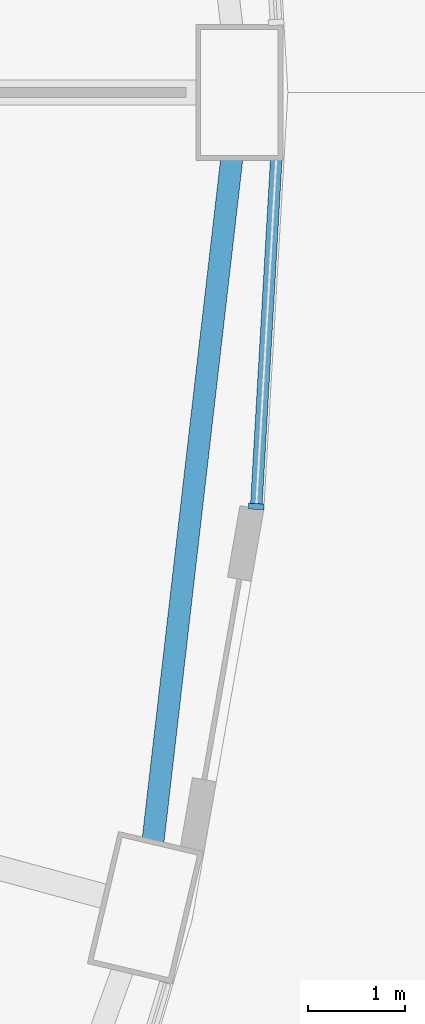
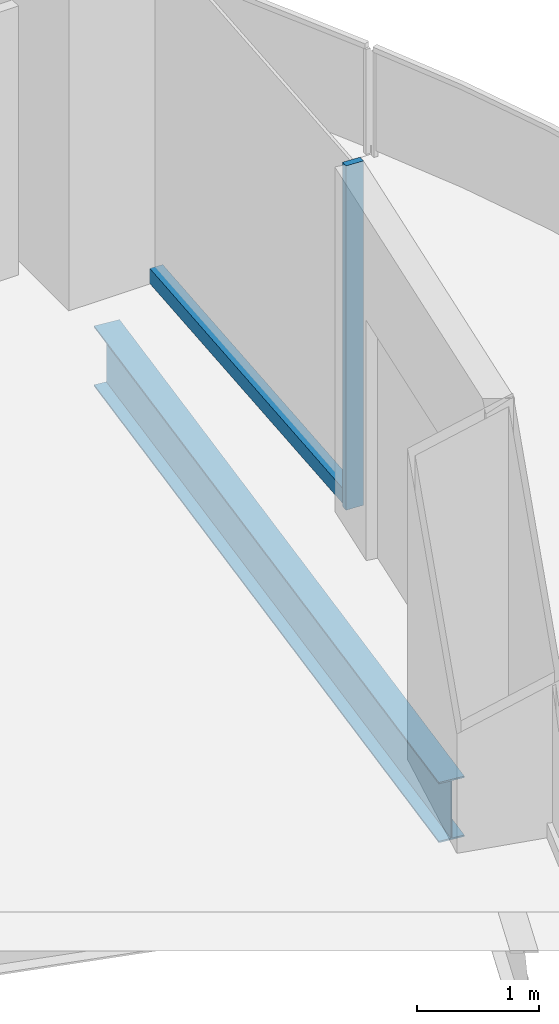
# One storey, part 6 of 22: 2 members, 1 beam, 1 element without a shape of its own.
"""IFC4 building model written with IfcOpenShell, lengths in metres."""

from ifc_helpers import new_model, si_unit, direction, frame, origin, origin_2d, place, context, subcontext, project, spatial, rectangle, i_section, extrude, material, layer, layer_set, material_profile, profile_set, type_object, element, aggregate, save


model = new_model("IFC4")

# Units and contexts
model_context = context("Model", 3, precision=1e-05, world=origin(), true_north=direction((0.0, 1.0)))
body_context = subcontext(model_context, "Body", "Model", "MODEL_VIEW")
ifc_project = project(units=[si_unit("LENGTHUNIT", "METRE"), si_unit("AREAUNIT", "SQUARE_METRE"), si_unit("VOLUMEUNIT", "CUBIC_METRE"), si_unit("PLANEANGLEUNIT", "RADIAN"), si_unit("MASSUNIT", "GRAM", prefix="KILO")], contexts=[model_context])

# Site, building, storey
site_placement = place(None, origin())
site = spatial("IfcSite", under=ifc_project, at=site_placement, CompositionType="ELEMENT")
building_placement = place(site_placement, origin())
building = spatial("IfcBuilding", under=site, at=building_placement, Name="Nagisa Residences", CompositionType="ELEMENT")
storey_placement = place(building_placement, frame((0.0, 0.0, 38.10009765625)))
storey = spatial("IfcBuildingStorey", under=building, at=storey_placement, Name="L08", CompositionType="ELEMENT", Elevation=38.10009765625)

# Curtain wall, members
ifc_material_1 = material(Name="Concrete-coloured aluminium curtain wall system", Category="concrete")
ifc_layer = layer(ifc_material_1, 0.159912109375)
ifc_layer_set = layer_set([ifc_layer], Name="CW1 CURTAIN WALL")
curtain_wall_type = type_object("IfcCurtainWallType", Name="CW1 CURTAIN WALL", PredefinedType="NOTDEFINED", material=ifc_layer_set)
curtain_wall_placement = place(storey_placement, origin())
curtain_wall = element("IfcCurtainWall", 1, at=curtain_wall_placement, inside=storey, type_object=curtain_wall_type, Name="cw:CW1:L08:47", PredefinedType="NOTDEFINED")
ifc_material_2 = material(Name="Concrete-coloured aluminium", Category="concrete")
ifc_material_profile_1 = material_profile(ifc_material_2, rectangle(XDim=0.159912109375, YDim=0.06005859375, at=origin_2d()), Name="CW1 MULLION 160x60")
ifc_profile_set_1 = profile_set([ifc_material_profile_1], Name="Concrete-coloured aluminium")
member_type_1 = type_object("IfcMemberType", Name="CW1 MULLION 160x60", PredefinedType="MULLION", material=ifc_profile_set_1)
member_1_placement = place(storey_placement, frame((32.273681640625, -4.272705078125, 0.0), z_axis=(0.0, 0.0, 1.0), x_axis=(-0.998345305184, 0.057503492216, 0.0)))
member_1 = element("IfcMember", 2, at=member_1_placement, type_object=member_type_1, Name="CW1 mullion", PredefinedType="MULLION", context=body_context, shape_type="SweptSolid", body=[
    extrude(rectangle(XDim=0.159912109375, YDim=0.06005859375, at=origin_2d()), origin(), (0.0, 0.0, 1.0), 3.43994140625),
])
ifc_material_3 = material(Name="Concrete-coloured aluminium", Category="concrete")
ifc_material_profile_2 = material_profile(ifc_material_3, rectangle(XDim=0.1201171875, YDim=0.14990234375, at=origin_2d()), Name="CW1 TRANSOM 120x150")
ifc_profile_set_2 = profile_set([ifc_material_profile_2], Name="Concrete-coloured aluminium")
member_type_2 = type_object("IfcMemberType", Name="CW1 TRANSOM 120x150", PredefinedType="USERDEFINED", material=ifc_profile_set_2)
member_2_placement = place(storey_placement, frame((32.27197265625, -4.302734375, 0.074951171875), z_axis=(0.057549926952, 0.998342629515, 0.0), x_axis=(-0.998342629515, 0.057549926952, 0.0)))
member_2 = element("IfcMember", 3, at=member_2_placement, type_object=member_type_2, Name="CW1 transom", ObjectType="TRANSOM", PredefinedType="USERDEFINED", context=body_context, shape_type="SweptSolid", body=[
    extrude(rectangle(XDim=0.1201171875, YDim=0.14990234375, at=origin_2d()), origin(), (0.0, 0.0, 1.0), 3.614501953125),
])
aggregate(curtain_wall, [member_1, member_2])

# Beam
ifc_material_4 = material(Name="Steel ASTM A572 Gr 50", Category="steel")
ifc_material_profile_3 = material_profile(ifc_material_4, i_section(OverallWidth=0.22802734375, OverallDepth=0.60302734375, WebThickness=0.010498046875, FlangeThickness=0.014892578125, at=origin_2d()), Name="W610x101")
ifc_profile_set_3 = profile_set([ifc_material_profile_3], Name="Steel ASTM A572 Gr 50")
beam_type = type_object("IfcBeamType", Name="Perimeter ring beam W610x101", PredefinedType="BEAM", material=ifc_profile_set_3)
beam_placement = place(storey_placement, frame((31.20751953125, -7.7314453125, -0.5615234375), z_axis=(0.114673717321, 0.993403210462, 0.0), x_axis=(-0.993403210462, 0.114673717321, 0.0)))
element("IfcBeam", 4, at=beam_placement, inside=storey, type_object=beam_type, Name="beam:L08:pb24", PredefinedType="BEAM", context=body_context, shape_type="SweptSolid", body=[
    extrude(i_section(OverallWidth=0.22802734375, OverallDepth=0.60302734375, WebThickness=0.010498046875, FlangeThickness=0.014892578125, at=origin_2d()), origin(), (0.0, 0.0, 1.0), 7.09814453125),
])

save(model, "model.ifc")
